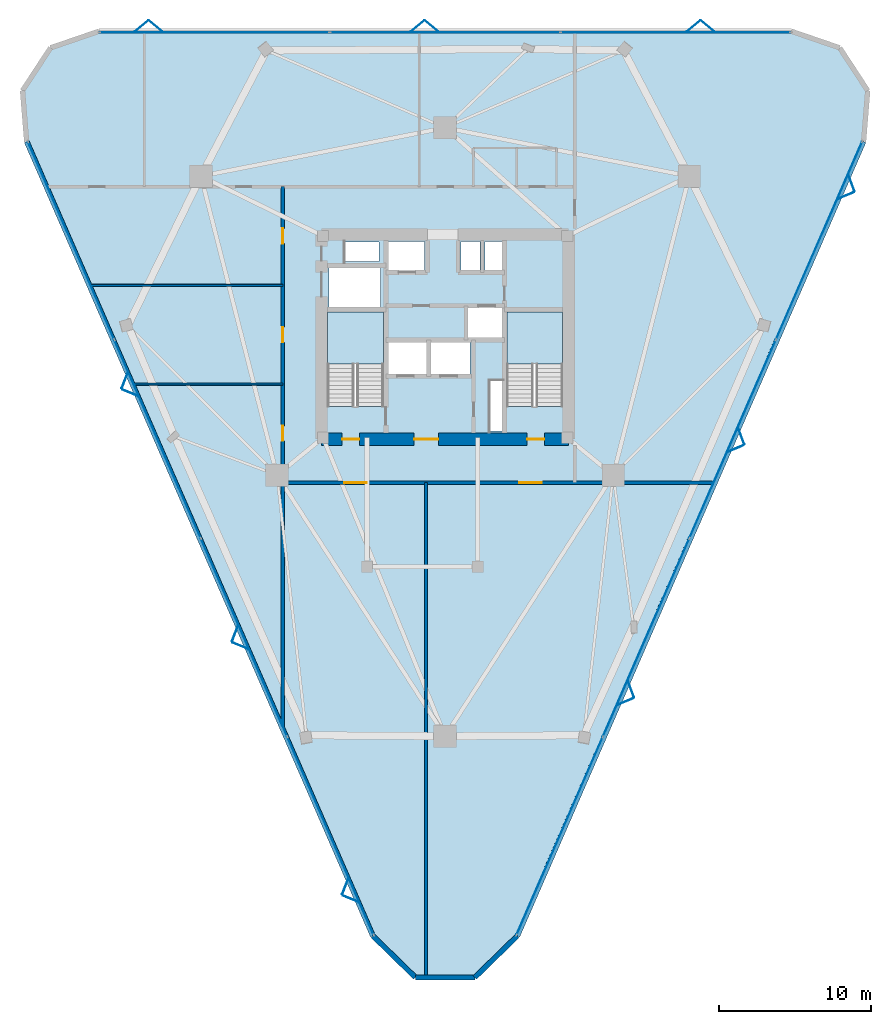
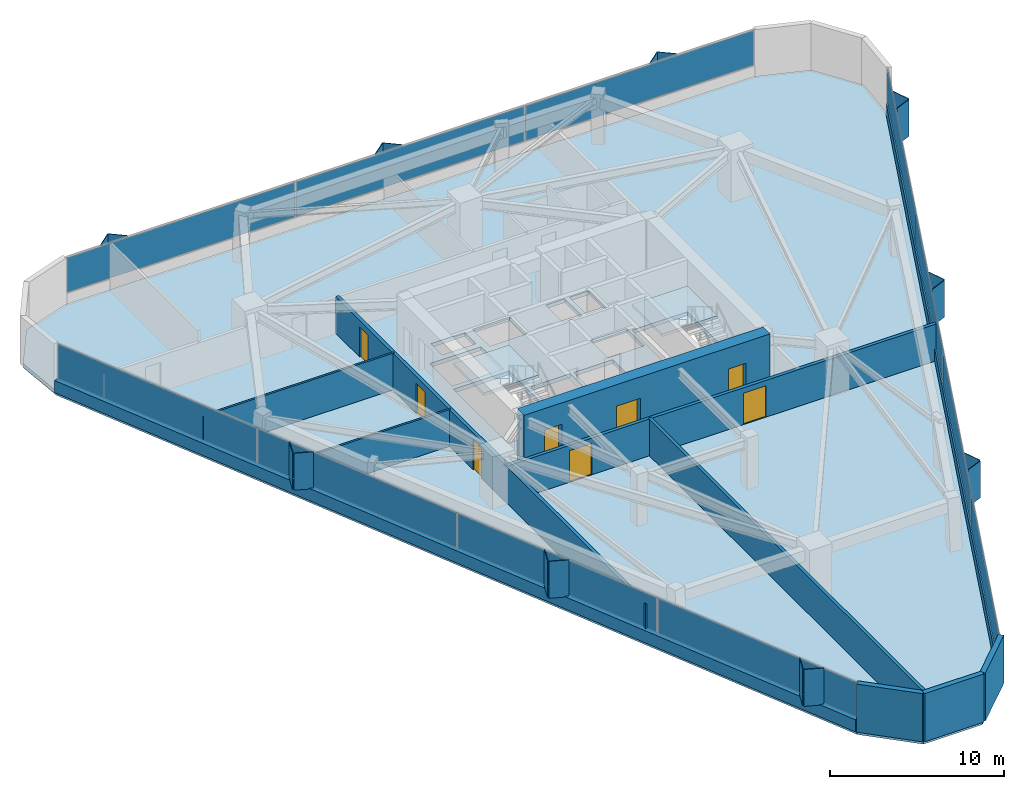
# One storey, part 8 of 11: 29 plates, 11 walls, 8 doors, 3 slabs, 8 openings, 5 elements without a shape of their own.
"""IFC4 building model written with IfcOpenShell, lengths in metres."""

from ifc_helpers import new_model, si_unit, direction, frame, frame_2d, origin, origin_2d, place, context, subcontext, project, spatial, polyline, rectangle, outline, extrude, material, layer, layer_set, type_object, element, fill, aggregate, save


model = new_model("IFC4")

# Units and contexts
model_context = context("Model", 3, precision=1e-05, world=origin(), true_north=direction((0.0, 1.0)))
body_context = subcontext(model_context, "Body", "Model", "MODEL_VIEW")
ifc_project = project(units=[si_unit("LENGTHUNIT", "METRE"), si_unit("AREAUNIT", "SQUARE_METRE"), si_unit("VOLUMEUNIT", "CUBIC_METRE"), si_unit("PLANEANGLEUNIT", "RADIAN"), si_unit("MASSUNIT", "GRAM", prefix="KILO")], contexts=[model_context])

# Site, building, storey
site_placement = place(None, origin())
site = spatial("IfcSite", under=ifc_project, at=site_placement, CompositionType="ELEMENT")
building_placement = place(site_placement, origin())
building = spatial("IfcBuilding", under=site, at=building_placement, Name="Talyreon Biosciences Tower", CompositionType="ELEMENT")
storey_placement = place(building_placement, frame((0.0, 0.0, 160.050048828125)))
storey = spatial("IfcBuildingStorey", under=building, at=storey_placement, Name="L42", CompositionType="ELEMENT", Elevation=160.050048828125)

# Curtain wall, plates
ifc_material_1 = material(Name="Thermally broken aluminium and low-E glazing", Category="aluminium")
ifc_layer_1 = layer(ifc_material_1, 0.18505859375)
ifc_layer_set_1 = layer_set([ifc_layer_1], Name="Thermally broken aluminium and low-E glazing")
curtain_wall_type = type_object("IfcCurtainWallType", Name="CurtainWall_Zone3Bioprocess", PredefinedType="NOTDEFINED", material=ifc_layer_set_1)
curtain_wall_1_placement = place(storey_placement, origin())
curtain_wall_1 = element("IfcCurtainWall", 1, at=curtain_wall_1_placement, inside=storey, type_object=curtain_wall_type, Name="L42 Unitised Curtain Wall FCW-L42-00", PredefinedType="NOTDEFINED")
ifc_material_2 = material(Name="Triple-silver low-E insulated glazing", Category="glass")
ifc_layer_2 = layer(ifc_material_2, 0.031982421875)
ifc_layer_set_2 = layer_set([ifc_layer_2], Name="Triple-silver low-E insulated glazing")
plate_type_1 = type_object("IfcPlateType", Name="CWGlazingPanel_32", PredefinedType="CURTAIN_PANEL", material=ifc_layer_set_2)
plate_1_placement = place(storey_placement, frame((58.446533203125, 35.08935546875, 0.875), z_axis=(0.0, 0.0, 1.0), x_axis=(-0.399504605621, 0.916731187474, 0.0)))
plate_1 = element("IfcPlate", 2, at=plate_1_placement, type_object=plate_type_1, Name="CW4 panel 1.1", PredefinedType="CURTAIN_PANEL", context=body_context, shape_type="SweptSolid", body=[
    extrude(rectangle(XDim=14.18701171875, YDim=0.031982421875, at=origin_2d()), origin(), (0.0, 0.0, 1.0), 2.43505859375),
])
plate_2_placement = place(storey_placement, frame((52.74609375, 48.16943359375, 0.875), z_axis=(0.0, 0.0, 1.0), x_axis=(-0.399504605621, 0.916731187474, 0.0)))
plate_2 = element("IfcPlate", 3, at=plate_2_placement, type_object=plate_type_1, Name="CW4 panel 2.1", PredefinedType="CURTAIN_PANEL", context=body_context, shape_type="SweptSolid", body=[
    extrude(rectangle(XDim=14.219482421875, YDim=0.031982421875, at=origin_2d()), origin(), (0.0, 0.0, 1.0), 2.43505859375),
])
plate_3_placement = place(storey_placement, frame((47.03955078125, 61.264404296875, 0.875), z_axis=(0.0, 0.0, 1.0), x_axis=(-0.399504605621, 0.916731187474, 0.0)))
plate_3 = element("IfcPlate", 4, at=plate_3_placement, type_object=plate_type_1, Name="CW4 panel 3.1", PredefinedType="CURTAIN_PANEL", context=body_context, shape_type="SweptSolid", body=[
    extrude(rectangle(XDim=14.219482421875, YDim=0.031982421875, at=origin_2d()), origin(), (0.0, 0.0, 1.0), 2.43505859375),
])
plate_4_placement = place(storey_placement, frame((41.33935546875, 74.3447265625, 0.875), z_axis=(0.0, 0.0, 1.0), x_axis=(-0.399504605621, 0.916731187474, 0.0)))
plate_4 = element("IfcPlate", 5, at=plate_4_placement, type_object=plate_type_1, Name="CW4 panel 4.1", PredefinedType="CURTAIN_PANEL", context=body_context, shape_type="SweptSolid", body=[
    extrude(rectangle(XDim=14.18701171875, YDim=0.031982421875, at=origin_2d()), origin(), (0.0, 0.0, 1.0), 2.43505859375),
])
aggregate(curtain_wall_1, [plate_1, plate_2, plate_3, plate_4])

curtain_wall_2_placement = place(storey_placement, origin())
curtain_wall_2 = element("IfcCurtainWall", 6, at=curtain_wall_2_placement, inside=storey, type_object=curtain_wall_type, Name="L42 Unitised Curtain Wall FCW-L42-04", PredefinedType="NOTDEFINED")
plate_5_placement = place(storey_placement, frame((50.79833984375, 88.072509765625, 0.875), z_axis=(0.0, 0.0, 1.0), x_axis=(1.0, 0.0, 0.0)))
plate_5 = element("IfcPlate", 7, at=plate_5_placement, type_object=plate_type_1, Name="CW4 panel 1.1", PredefinedType="CURTAIN_PANEL", context=body_context, shape_type="SweptSolid", body=[
    extrude(rectangle(XDim=15.120361328125, YDim=0.031982421875, at=origin_2d()), origin(), (0.0, 0.0, 1.0), 2.43505859375),
])
plate_6_placement = place(storey_placement, frame((66.0, 88.072509765625, 0.875), z_axis=(0.0, 0.0, 1.0), x_axis=(1.0, 0.0, 0.0)))
plate_6 = element("IfcPlate", 8, at=plate_6_placement, type_object=plate_type_1, Name="CW4 panel 2.1", PredefinedType="CURTAIN_PANEL", context=body_context, shape_type="SweptSolid", body=[
    extrude(rectangle(XDim=15.15283203125, YDim=0.031982421875, at=origin_2d()), origin(), (0.0, 0.0, 1.0), 2.43505859375),
])
plate_7_placement = place(storey_placement, frame((81.20166015625, 88.072509765625, 0.875), z_axis=(0.0, 0.0, 1.0), x_axis=(1.0, 0.0, 0.0)))
plate_7 = element("IfcPlate", 9, at=plate_7_placement, type_object=plate_type_1, Name="CW4 panel 3.1", PredefinedType="CURTAIN_PANEL", context=body_context, shape_type="SweptSolid", body=[
    extrude(rectangle(XDim=15.120361328125, YDim=0.031982421875, at=origin_2d()), origin(), (0.0, 0.0, 1.0), 2.43505859375),
])
aggregate(curtain_wall_2, [plate_5, plate_6, plate_7])

curtain_wall_3_placement = place(storey_placement, origin())
curtain_wall_3 = element("IfcCurtainWall", 10, at=curtain_wall_3_placement, inside=storey, type_object=curtain_wall_type, Name="L42 Unitised Curtain Wall FCW-L42-08", PredefinedType="NOTDEFINED")
plate_8_placement = place(storey_placement, frame((90.66064453125, 74.3447265625, 0.875), z_axis=(0.0, 0.0, 1.0), x_axis=(-0.399504605621, -0.916731187474, 0.0)))
plate_8 = element("IfcPlate", 11, at=plate_8_placement, type_object=plate_type_1, Name="CW4 panel 1.1", PredefinedType="CURTAIN_PANEL", context=body_context, shape_type="SweptSolid", body=[
    extrude(rectangle(XDim=14.18701171875, YDim=0.031982421875, at=origin_2d()), origin(), (0.0, 0.0, 1.0), 2.43505859375),
])
plate_9_placement = place(storey_placement, frame((84.96044921875, 61.264404296875, 0.875), z_axis=(0.0, 0.0, 1.0), x_axis=(-0.399504605621, -0.916731187474, 0.0)))
plate_9 = element("IfcPlate", 12, at=plate_9_placement, type_object=plate_type_1, Name="CW4 panel 2.1", PredefinedType="CURTAIN_PANEL", context=body_context, shape_type="SweptSolid", body=[
    extrude(rectangle(XDim=14.219482421875, YDim=0.031982421875, at=origin_2d()), origin(), (0.0, 0.0, 1.0), 2.43505859375),
])
plate_10_placement = place(storey_placement, frame((79.25390625, 48.16943359375, 0.875), z_axis=(0.0, 0.0, 1.0), x_axis=(-0.399504605621, -0.916731187474, 0.0)))
plate_10 = element("IfcPlate", 13, at=plate_10_placement, type_object=plate_type_1, Name="CW4 panel 3.1", PredefinedType="CURTAIN_PANEL", context=body_context, shape_type="SweptSolid", body=[
    extrude(rectangle(XDim=14.219482421875, YDim=0.031982421875, at=origin_2d()), origin(), (0.0, 0.0, 1.0), 2.43505859375),
])
plate_11_placement = place(storey_placement, frame((73.553466796875, 35.08935546875, 0.875), z_axis=(0.0, 0.0, 1.0), x_axis=(-0.399504605621, -0.916731187474, 0.0)))
plate_11 = element("IfcPlate", 14, at=plate_11_placement, type_object=plate_type_1, Name="CW4 panel 4.1", PredefinedType="CURTAIN_PANEL", context=body_context, shape_type="SweptSolid", body=[
    extrude(rectangle(XDim=14.18701171875, YDim=0.031982421875, at=origin_2d()), origin(), (0.0, 0.0, 1.0), 2.43505859375),
])
aggregate(curtain_wall_3, [plate_8, plate_9, plate_10, plate_11])

# Plates
ifc_material_3 = material(Name="Ivory GFRC sunshade panel", Category="concrete")
ifc_layer_3 = layer(ifc_material_3, 0.044921875)
ifc_layer_set_3 = layer_set([ifc_layer_3], Name="Ivory GFRC sunshade panel")
plate_type_2 = type_object("IfcPlateType", Name="FoldedVSunshade_NorthFace_SUNSHADE", PredefinedType="USERDEFINED", material=ifc_layer_set_3)
for number, where, z_axis, x_axis, name in (
    (15, (45.9931640625, 88.512451171875, 0.7900390625), (0.0, 0.0, 1.0), (0.771624583388, 0.636078220278, 0.0), "L42 Folded V-Sunshade Panel 04.01L"),
    (16, (46.89306640625, 88.512451171875, 0.7900390625), (0.0, 0.0, 1.0), (0.771624583388, -0.636078220278, 0.0), "L42 Folded V-Sunshade Panel 04.01R"),
    (17, (64.193115234375, 88.512451171875, 0.7900390625), (0.0, 0.0, 1.0), (0.771624583388, 0.636078220278, 0.0), "L42 Folded V-Sunshade Panel 04.02L"),
    (18, (65.093017578125, 88.512451171875, 0.7900390625), (0.0, 0.0, 1.0), (0.771624583388, -0.636078220278, 0.0), "L42 Folded V-Sunshade Panel 04.02R"),
    (19, (82.39306640625, 88.512451171875, 0.7900390625), (0.0, 0.0, 1.0), (0.771624583388, 0.636078220278, 0.0), "L42 Folded V-Sunshade Panel 04.03L"),
    (20, (83.293212890625, 88.512451171875, 0.7900390625), (0.0, 0.0, 1.0), (0.771624583388, -0.636078220278, 0.0), "L42 Folded V-Sunshade Panel 04.03R"),
):
    element("IfcPlate", number, at=place(storey_placement, frame(where, z_axis=z_axis, x_axis=x_axis)), inside=storey, type_object=plate_type_2, Name=name, ObjectType="SUNSHADE", PredefinedType="USERDEFINED", context=body_context, shape_type="SweptSolid", body=[
        extrude(rectangle(XDim=1.14990234375, YDim=0.044921875, at=origin_2d()), origin(), (0.0, 0.0, 1.0), 2.5849609375),
    ])
ifc_layer_4 = layer(ifc_material_3, 0.044921875)
ifc_layer_set_4 = layer_set([ifc_layer_4], Name="Ivory GFRC sunshade panel")
plate_type_3 = type_object("IfcPlateType", Name="FoldedVSunshade_SunFace_SUNSHADE", PredefinedType="USERDEFINED", material=ifc_layer_set_4)
for number, where, z_axis, x_axis, name in (
    (21, (59.7763671875, 30.936279296875, 0.7900390625), (0.0, 0.0, 1.0), (-0.924193138674, 0.381925440929, 0.0), "L42 Folded V-Sunshade Panel 00.01L"),
    (22, (59.416748046875, 31.76123046875, 0.7900390625), (0.0, 0.0, 1.0), (0.349438906874, 0.936959150851, 0.0), "L42 Folded V-Sunshade Panel 00.01R"),
    (23, (52.50537109375, 47.620849609375, 0.7900390625), (0.0, 0.0, 1.0), (-0.924193138674, 0.381925440929, 0.0), "L42 Folded V-Sunshade Panel 00.02L"),
    (24, (52.145751953125, 48.44580078125, 0.7900390625), (0.0, 0.0, 1.0), (0.349438906874, 0.936959150851, 0.0), "L42 Folded V-Sunshade Panel 00.02R"),
    (25, (45.234375, 64.305419921875, 0.7900390625), (0.0, 0.0, 1.0), (-0.924193138674, 0.381925440929, 0.0), "L42 Folded V-Sunshade Panel 00.03L"),
    (26, (44.875, 65.13037109375, 0.7900390625), (0.0, 0.0, 1.0), (0.349438906874, 0.936959150851, 0.0), "L42 Folded V-Sunshade Panel 00.03R"),
    (27, (92.79736328125, 78.14599609375, 0.7900390625), (0.0, 0.0, 1.0), (0.349438906874, -0.936959150851, 0.0), "L42 Folded V-Sunshade Panel 08.01L"),
    (28, (92.437744140625, 77.321044921875, 0.7900390625), (0.0, 0.0, 1.0), (-0.924193138674, -0.381925440929, 0.0), "L42 Folded V-Sunshade Panel 08.01R"),
    (29, (85.5263671875, 61.461669921875, 0.7900390625), (0.0, 0.0, 1.0), (0.349438906874, -0.936959150851, 0.0), "L42 Folded V-Sunshade Panel 08.02L"),
    (30, (85.166748046875, 60.636474609375, 0.7900390625), (0.0, 0.0, 1.0), (-0.924193138674, -0.381925440929, 0.0), "L42 Folded V-Sunshade Panel 08.02R"),
    (31, (78.25537109375, 44.777099609375, 0.7900390625), (0.0, 0.0, 1.0), (0.349438906874, -0.936959150851, 0.0), "L42 Folded V-Sunshade Panel 08.03L"),
    (32, (77.895751953125, 43.951904296875, 0.7900390625), (0.0, 0.0, 1.0), (-0.924193138674, -0.381925440929, 0.0), "L42 Folded V-Sunshade Panel 08.03R"),
):
    element("IfcPlate", number, at=place(storey_placement, frame(where, z_axis=z_axis, x_axis=x_axis)), inside=storey, type_object=plate_type_3, Name=name, ObjectType="SUNSHADE", PredefinedType="USERDEFINED", context=body_context, shape_type="SweptSolid", body=[
        extrude(rectangle(XDim=1.14990234375, YDim=0.044921875, at=origin_2d()), origin(), (0.0, 0.0, 1.0), 2.5849609375),
    ])

# Stair, slab
ifc_material_4 = material(Name="Concrete C40/50", Category="concrete")
stair_type = type_object("IfcStairType", Name="DoglegEscapeStair_3650", PredefinedType="HALF_TURN_STAIR", material=ifc_material_4)
stair_1_placement = place(storey_placement, origin())
stair_1 = element("IfcStair", 33, at=stair_1_placement, inside=storey, type_object=stair_type, Name="L42 Core Escape Stair 1", PredefinedType="HALF_TURN_STAIR")
ifc_layer_5 = layer(ifc_material_4, 0.199951171875)
ifc_layer_set_5 = layer_set([ifc_layer_5], Name="Concrete C40/50")
slab_type_1 = type_object("IfcSlabType", Name="StairLandingSlab_200", PredefinedType="LANDING", material=ifc_layer_set_5)
slab_1_placement = place(storey_placement, frame((0.0, 0.0, 1.625)))
slab_1 = element("IfcSlab", 34, at=slab_1_placement, type_object=slab_type_1, Name="ST-1 landing 1", PredefinedType="LANDING", context=body_context, shape_type="SweptSolid", body=[
    extrude(outline(polyline([(61.929931640625, 66.199951171875), (61.929931640625, 69.64990234375), (58.25, 69.64990234375), (58.25, 66.199951171875), (61.929931640625, 66.199951171875)])), origin(), (0.0, 0.0, 1.0), 0.199951171875),
])
aggregate(stair_1, [slab_1])

stair_2_placement = place(storey_placement, origin())
stair_2 = element("IfcStair", 35, at=stair_2_placement, inside=storey, type_object=stair_type, Name="L42 Core Escape Stair 2", PredefinedType="HALF_TURN_STAIR")
slab_2_placement = place(storey_placement, frame((0.0, 0.0, 1.625)))
slab_2 = element("IfcSlab", 36, at=slab_2_placement, type_object=slab_type_1, Name="ST-2 landing 1", PredefinedType="LANDING", context=body_context, shape_type="SweptSolid", body=[
    extrude(outline(polyline([(73.75, 66.199951171875), (73.75, 69.64990234375), (70.070068359375, 69.64990234375), (70.070068359375, 66.199951171875), (73.75, 66.199951171875)])), origin(), (0.0, 0.0, 1.0), 0.199951171875),
])
aggregate(stair_2, [slab_2])

# Slab
ifc_layer_6 = layer(ifc_material_4, 0.27490234375)
ifc_layer_set_6 = layer_set([ifc_layer_6], Name="Concrete C40/50")
slab_type_2 = type_object("IfcSlabType", Name="WetLabFloorSlab_275", PredefinedType="FLOOR", material=ifc_layer_set_6)
slab_3_placement = place(storey_placement, frame((0.0, 0.0, -0.275146484375)))
element("IfcSlab", 37, at=slab_3_placement, inside=storey, type_object=slab_type_2, Name="L42 Structural Floor Slab", PredefinedType="FLOOR", context=body_context, shape_type="SweptSolid", body=[
    extrude(outline(polyline([(61.23291015625, 28.494873046875), (38.406005859375, 80.875), (38.13427734375, 84.237060546875), (39.982421875, 87.05859375), (43.173095703125, 88.152587890625), (88.826904296875, 88.152587890625), (92.017578125, 87.05859375), (93.86572265625, 84.237060546875), (93.593994140625, 80.875), (70.76708984375, 28.494873046875), (67.960693359375, 25.756103515625), (64.039306640625, 25.756103515625), (61.23291015625, 28.494873046875)]), holes=[polyline([(61.929931640625, 69.64990234375), (61.929931640625, 63.407958984375), (58.25, 63.407958984375), (58.25, 69.64990234375), (61.929931640625, 69.64990234375)]), polyline([(64.800048828125, 67.64990234375), (64.800048828125, 65.550048828125), (62.199951171875, 65.550048828125), (62.199951171875, 67.64990234375), (64.800048828125, 67.64990234375)]), polyline([(67.64990234375, 67.64990234375), (67.64990234375, 65.550048828125), (65.050048828125, 65.550048828125), (65.050048828125, 67.64990234375), (67.64990234375, 67.64990234375)]), polyline([(61.75, 69.97998046875), (58.35009765625, 69.97998046875), (58.35009765625, 72.550048828125), (61.75, 72.550048828125), (61.75, 69.97998046875)]), polyline([(64.64990234375, 72.35009765625), (62.199951171875, 72.35009765625), (62.199951171875, 74.300048828125), (64.64990234375, 74.300048828125), (64.64990234375, 72.35009765625)]), polyline([(61.64990234375, 74.25), (61.64990234375, 72.9599609375), (59.39990234375, 72.9599609375), (59.39990234375, 74.25), (61.64990234375, 74.25)]), polyline([(69.820068359375, 61.800048828125), (68.9599609375, 61.800048828125), (68.9599609375, 65.10009765625), (69.820068359375, 65.10009765625), (69.820068359375, 61.800048828125)]), polyline([(73.75, 63.407958984375), (70.070068359375, 63.407958984375), (70.070068359375, 69.64990234375), (73.75, 69.64990234375), (73.75, 63.407958984375)]), polyline([(69.89990234375, 69.949951171875), (69.89990234375, 67.949951171875), (67.5, 67.949951171875), (67.5, 69.949951171875), (69.89990234375, 69.949951171875)]), polyline([(68.300048828125, 72.35009765625), (67.050048828125, 72.35009765625), (67.050048828125, 74.300048828125), (68.300048828125, 74.300048828125), (68.300048828125, 72.35009765625)]), polyline([(69.919921875, 72.35009765625), (68.6201171875, 72.35009765625), (68.6201171875, 74.300048828125), (69.919921875, 74.300048828125), (69.919921875, 72.35009765625)])]), origin(), (0.0, 0.0, 1.0), 0.275146484375),
])

# Wall
ifc_material_5 = material(Name="Gypsum fireboard acoustic stud", Category="gypsum")
ifc_layer_7 = layer(ifc_material_5, 0.199951171875)
ifc_layer_set_7 = layer_set([ifc_layer_7], Name="Gypsum fireboard acoustic stud")
wall_type_1 = type_object("IfcWallType", Name="ChemControlPartition_200", PredefinedType="PARTITIONING", material=ifc_layer_set_7)
wall_1_placement = place(storey_placement, frame((64.74609375, 25.841064453125, 0.0), z_axis=(0.0, 0.0, 1.0), x_axis=(0.0, 1.0, 0.0)))
element("IfcWall", 38, at=wall_1_placement, inside=storey, type_object=wall_type_1, Name="L42 Interior Wall IW-L42-SDIV1", PredefinedType="PARTITIONING", context=body_context, shape_type="SweptSolid", body=[
    extrude(rectangle(XDim=32.538818359375, YDim=0.199951171875, at=frame_2d((16.26953125, 0.0))), origin(), (0.0, 0.0, 1.0), 2.574951171875),
])

# Wall, openings, doors
ifc_material_6 = material(Name="Concrete C60/75", Category="concrete")
ifc_layer_8 = layer(ifc_material_6, 0.800048828125)
ifc_layer_set_8 = layer_set([ifc_layer_8], Name="Concrete C60/75")
wall_type_2 = type_object("IfcWallType", Name="CoreShearWall_800", PredefinedType="SHEAR", material=ifc_layer_set_8)
wall_2_placement = place(storey_placement, frame((57.85009765625, 61.25, 0.0), z_axis=(0.0, 0.0, 1.0), x_axis=(1.0, 0.0, 0.0)))
wall_2 = element("IfcWall", 39, at=wall_2_placement, inside=storey, type_object=wall_type_2, Name="L42 Core Shear Wall S", PredefinedType="SHEAR", context=body_context, shape_type="SweptSolid", body=[
    extrude(rectangle(XDim=16.2998046875, YDim=0.800048828125, at=frame_2d((8.14990234375, 0.0))), origin(), (0.0, 0.0, 1.0), 3.64990234375),
])
opening_1_placement = place(wall_2_placement, frame((1.35009765625, 0.0, 0.0)))
opening_1 = element("IfcOpeningElement", 40, at=opening_1_placement, cuts=wall_2, Name="Opening DR-L42-ST1", PredefinedType="OPENING", context=body_context, shape_type="SweptSolid", body=[
    extrude(rectangle(XDim=1.14990234375, YDim=2.14990234375, at=frame_2d((0.574951171875, 1.074951171875))), frame((0.0, 0.409912109375, 0.0), z_axis=(0.0, -1.0, 0.0), x_axis=(1.0, 0.0, 0.0)), (0.0, 0.0, 1.0), 0.820068359375),
])
opening_2_placement = place(wall_2_placement, frame((6.10009765625, 0.0, 0.0)))
opening_2 = element("IfcOpeningElement", 41, at=opening_2_placement, cuts=wall_2, Name="Opening DR-L42-FFL", PredefinedType="OPENING", context=body_context, shape_type="SweptSolid", body=[
    extrude(rectangle(XDim=1.60009765625, YDim=2.14990234375, at=frame_2d((0.800048828125, 1.074951171875))), frame((0.0, 0.409912109375, 0.0), z_axis=(0.0, -1.0, 0.0), x_axis=(1.0, 0.0, 0.0)), (0.0, 0.0, 1.0), 0.820068359375),
])
opening_3_placement = place(wall_2_placement, frame((13.550048828125, 0.0, 0.0)))
opening_3 = element("IfcOpeningElement", 42, at=opening_3_placement, cuts=wall_2, Name="Opening DR-L42-ST2", PredefinedType="OPENING", context=body_context, shape_type="SweptSolid", body=[
    extrude(rectangle(XDim=1.14990234375, YDim=2.14990234375, at=frame_2d((0.574951171875, 1.074951171875))), frame((0.0, 0.409912109375, 0.0), z_axis=(0.0, -1.0, 0.0), x_axis=(1.0, 0.0, 0.0)), (0.0, 0.0, 1.0), 0.820068359375),
])
ifc_material_7 = material(Name="Painted steel smoke-seal fire door", Category="steel")
door_type_1 = type_object("IfcDoorType", Name="FirefightingLobbyDoubleDoor_1600x2150", OperationType="DOUBLE_DOOR_SINGLE_SWING", PredefinedType="DOOR", material=ifc_material_7)
door_1_placement = place(opening_2_placement, origin())
door_1 = element("IfcDoor", 43, at=door_1_placement, inside=storey, type_object=door_type_1, Name="L42 Core Door DR-L42-FFL", OperationType="DOUBLE_DOOR_SINGLE_SWING", OverallHeight=2.14990234375, OverallWidth=1.60009765625, PredefinedType="DOOR", context=body_context, shape_type="SweptSolid", body=[
    extrude(rectangle(XDim=1.60009765625, YDim=2.14990234375, at=frame_2d((0.800048828125, 1.074951171875))), frame((0.0, 0.02490234375, 0.0), z_axis=(0.0, -1.0, 0.0), x_axis=(1.0, 0.0, 0.0)), (0.0, 0.0, 1.0), 0.050048828125),
])
fill(opening_2, door_1)
ifc_material_8 = material(Name="Painted steel fire door", Category="steel")
door_type_2 = type_object("IfcDoorType", Name="StairShaftFireDoor_1150x2150", OperationType="NOTDEFINED", PredefinedType="DOOR", material=ifc_material_8)
door_2_placement = place(opening_1_placement, origin())
door_2 = element("IfcDoor", 44, at=door_2_placement, inside=storey, type_object=door_type_2, Name="L42 Core Door DR-L42-ST1", OperationType="SINGLE_SWING_LEFT", OverallHeight=2.14990234375, OverallWidth=1.14990234375, PredefinedType="DOOR", context=body_context, shape_type="SweptSolid", body=[
    extrude(rectangle(XDim=1.14990234375, YDim=2.14990234375, at=frame_2d((0.574951171875, 1.074951171875))), frame((0.0, 0.02490234375, 0.0), z_axis=(0.0, -1.0, 0.0), x_axis=(1.0, 0.0, 0.0)), (0.0, 0.0, 1.0), 0.050048828125),
])
fill(opening_1, door_2)
door_3_placement = place(opening_3_placement, origin())
door_3 = element("IfcDoor", 45, at=door_3_placement, inside=storey, type_object=door_type_2, Name="L42 Core Door DR-L42-ST2", OperationType="SINGLE_SWING_RIGHT", OverallHeight=2.14990234375, OverallWidth=1.14990234375, PredefinedType="DOOR", context=body_context, shape_type="SweptSolid", body=[
    extrude(rectangle(XDim=1.14990234375, YDim=2.14990234375, at=frame_2d((0.574951171875, 1.074951171875))), frame((0.0, 0.02490234375, 0.0), z_axis=(0.0, -1.0, 0.0), x_axis=(1.0, 0.0, 0.0)), (0.0, 0.0, 1.0), 0.050048828125),
])
fill(opening_3, door_3)

ifc_layer_9 = layer(ifc_material_5, 0.219970703125)
ifc_layer_set_9 = layer_set([ifc_layer_9], Name="Gypsum fireboard acoustic stud")
wall_type_3 = type_object("IfcWallType", Name="CorridorRatedPartition_220", PredefinedType="PARTITIONING", material=ifc_layer_set_9)
wall_3_placement = place(storey_placement, frame((55.300048828125, 58.3798828125, 0.0), z_axis=(0.0, 0.0, 1.0), x_axis=(1.0, 0.0, 0.0)))
wall_3 = element("IfcWall", 46, at=wall_3_placement, inside=storey, type_object=wall_type_3, Name="L42 Interior Wall IW-L42-COR-S", PredefinedType="PARTITIONING", context=body_context, shape_type="SweptSolid", body=[
    extrude(rectangle(XDim=28.39794921875, YDim=0.219970703125, at=frame_2d((14.198974609375, 0.0))), origin(), (0.0, 0.0, 1.0), 2.574951171875),
])
opening_4_placement = place(wall_3_placement, frame((4.048095703125, 0.0, 0.0)))
opening_4 = element("IfcOpeningElement", 47, at=opening_4_placement, cuts=wall_3, Name="Opening DR-L42-S1A", PredefinedType="OPENING", context=body_context, shape_type="SweptSolid", body=[
    extrude(rectangle(XDim=1.5, YDim=2.199951171875, at=frame_2d((0.75, 1.10009765625))), frame((0.0, 0.119873046875, 0.0), z_axis=(0.0, -1.0, 0.0), x_axis=(1.0, 0.0, 0.0)), (0.0, 0.0, 1.0), 0.239990234375),
])
opening_5_placement = place(wall_3_placement, frame((15.5830078125, 0.0, 0.0)))
opening_5 = element("IfcOpeningElement", 48, at=opening_5_placement, cuts=wall_3, Name="Opening DR-L42-S2A", PredefinedType="OPENING", context=body_context, shape_type="SweptSolid", body=[
    extrude(rectangle(XDim=1.5, YDim=2.199951171875, at=frame_2d((0.75, 1.10009765625))), frame((0.0, 0.119873046875, 0.0), z_axis=(0.0, -1.0, 0.0), x_axis=(1.0, 0.0, 0.0)), (0.0, 0.0, 1.0), 0.239990234375),
])
ifc_material_9 = material(Name="Vision-panel steel laboratory fire door", Category="steel")
door_type_3 = type_object("IfcDoorType", Name="WetLabDoubleLeafDoor_1500x2200", OperationType="DOUBLE_DOOR_SINGLE_SWING", PredefinedType="DOOR", material=ifc_material_9)
door_4_placement = place(opening_4_placement, origin())
door_4 = element("IfcDoor", 49, at=door_4_placement, inside=storey, type_object=door_type_3, Name="L42 Interior Door DR-L42-S1A", OperationType="DOUBLE_DOOR_SINGLE_SWING", OverallHeight=2.199951171875, OverallWidth=1.5, PredefinedType="DOOR", context=body_context, shape_type="SweptSolid", body=[
    extrude(rectangle(XDim=1.5, YDim=2.199951171875, at=frame_2d((0.75, 1.10009765625))), frame((0.0, 0.02490234375, 0.0), z_axis=(0.0, -1.0, 0.0), x_axis=(1.0, 0.0, 0.0)), (0.0, 0.0, 1.0), 0.050048828125),
])
fill(opening_4, door_4)
door_5_placement = place(opening_5_placement, origin())
door_5 = element("IfcDoor", 50, at=door_5_placement, inside=storey, type_object=door_type_3, Name="L42 Interior Door DR-L42-S2A", OperationType="DOUBLE_DOOR_SINGLE_SWING", OverallHeight=2.199951171875, OverallWidth=1.5, PredefinedType="DOOR", context=body_context, shape_type="SweptSolid", body=[
    extrude(rectangle(XDim=1.5, YDim=2.199951171875, at=frame_2d((0.75, 1.10009765625))), frame((0.0, 0.02490234375, 0.0), z_axis=(0.0, -1.0, 0.0), x_axis=(1.0, 0.0, 0.0)), (0.0, 0.0, 1.0), 0.050048828125),
])
fill(opening_5, door_5)

wall_4_placement = place(storey_placement, frame((55.300048828125, 42.322021484375, 0.0), z_axis=(0.0, 0.0, 1.0), x_axis=(0.0, 1.0, 0.0)))
wall_4 = element("IfcWall", 51, at=wall_4_placement, inside=storey, type_object=wall_type_3, Name="L42 Interior Wall IW-L42-COR-W", PredefinedType="PARTITIONING", context=body_context, shape_type="SweptSolid", body=[
    extrude(rectangle(XDim=35.577880859375, YDim=0.219970703125, at=frame_2d((17.7890625, 0.0))), origin(), (0.0, 0.0, 1.0), 2.574951171875),
])
opening_6_placement = place(wall_4_placement, frame((18.81201171875, 0.0, 0.0)))
opening_6 = element("IfcOpeningElement", 52, at=opening_6_placement, cuts=wall_4, Name="Opening DR-L42-W1A", PredefinedType="OPENING", context=body_context, shape_type="SweptSolid", body=[
    extrude(rectangle(XDim=1.0, YDim=2.10009765625, at=frame_2d((0.5, 1.050048828125))), frame((0.0, 0.119873046875, 0.0), z_axis=(0.0, -1.0, 0.0), x_axis=(1.0, 0.0, 0.0)), (0.0, 0.0, 1.0), 0.239990234375),
])
opening_7_placement = place(wall_4_placement, frame((25.318115234375, 0.0, 0.0)))
opening_7 = element("IfcOpeningElement", 53, at=opening_7_placement, cuts=wall_4, Name="Opening DR-L42-W2A", PredefinedType="OPENING", context=body_context, shape_type="SweptSolid", body=[
    extrude(rectangle(XDim=1.0, YDim=2.10009765625, at=frame_2d((0.5, 1.050048828125))), frame((0.0, 0.119873046875, 0.0), z_axis=(0.0, -1.0, 0.0), x_axis=(1.0, 0.0, 0.0)), (0.0, 0.0, 1.0), 0.239990234375),
])
opening_8_placement = place(wall_4_placement, frame((31.824951171875, 0.0, 0.0)))
opening_8 = element("IfcOpeningElement", 54, at=opening_8_placement, cuts=wall_4, Name="Opening DR-L42-W3A", PredefinedType="OPENING", context=body_context, shape_type="SweptSolid", body=[
    extrude(rectangle(XDim=1.0, YDim=2.10009765625, at=frame_2d((0.5, 1.050048828125))), frame((0.0, 0.119873046875, 0.0), z_axis=(0.0, -1.0, 0.0), x_axis=(1.0, 0.0, 0.0)), (0.0, 0.0, 1.0), 0.239990234375),
])
ifc_material_10 = material(Name="Acoustic oak veneer office door", Category="wood")
door_type_4 = type_object("IfcDoorType", Name="WriteupOfficeDoor_1000x2100", OperationType="NOTDEFINED", PredefinedType="DOOR", material=ifc_material_10)
door_6_placement = place(opening_6_placement, origin())
door_6 = element("IfcDoor", 55, at=door_6_placement, inside=storey, type_object=door_type_4, Name="L42 Interior Door DR-L42-W1A", OperationType="SINGLE_SWING_RIGHT", OverallHeight=2.10009765625, OverallWidth=1.0, PredefinedType="DOOR", context=body_context, shape_type="SweptSolid", body=[
    extrude(rectangle(XDim=1.0, YDim=2.10009765625, at=frame_2d((0.5, 1.050048828125))), frame((0.0, 0.02490234375, 0.0), z_axis=(0.0, -1.0, 0.0), x_axis=(1.0, 0.0, 0.0)), (0.0, 0.0, 1.0), 0.050048828125),
])
fill(opening_6, door_6)
door_7_placement = place(opening_7_placement, origin())
door_7 = element("IfcDoor", 56, at=door_7_placement, inside=storey, type_object=door_type_4, Name="L42 Interior Door DR-L42-W2A", OperationType="SINGLE_SWING_RIGHT", OverallHeight=2.10009765625, OverallWidth=1.0, PredefinedType="DOOR", context=body_context, shape_type="SweptSolid", body=[
    extrude(rectangle(XDim=1.0, YDim=2.10009765625, at=frame_2d((0.5, 1.050048828125))), frame((0.0, 0.02490234375, 0.0), z_axis=(0.0, -1.0, 0.0), x_axis=(1.0, 0.0, 0.0)), (0.0, 0.0, 1.0), 0.050048828125),
])
fill(opening_7, door_7)
door_8_placement = place(opening_8_placement, origin())
door_8 = element("IfcDoor", 57, at=door_8_placement, inside=storey, type_object=door_type_4, Name="L42 Interior Door DR-L42-W3A", OperationType="SINGLE_SWING_LEFT", OverallHeight=2.10009765625, OverallWidth=1.0, PredefinedType="DOOR", context=body_context, shape_type="SweptSolid", body=[
    extrude(rectangle(XDim=1.0, YDim=2.10009765625, at=frame_2d((0.5, 1.050048828125))), frame((0.0, 0.02490234375, 0.0), z_axis=(0.0, -1.0, 0.0), x_axis=(1.0, 0.0, 0.0)), (0.0, 0.0, 1.0), 0.050048828125),
])
fill(opening_8, door_8)

# Walls
ifc_material_11 = material(Name="Gypsum acoustic stud partition", Category="gypsum")
ifc_layer_10 = layer(ifc_material_11, 0.1298828125)
ifc_layer_set_10 = layer_set([ifc_layer_10], Name="Gypsum acoustic stud partition")
wall_type_4 = type_object("IfcWallType", Name="OfficeWriteupPartition_130", PredefinedType="PARTITIONING", material=ifc_layer_set_10)
wall_5_placement = place(storey_placement, frame((45.46630859375, 64.886962890625, 0.0), z_axis=(0.0, 0.0, 1.0), x_axis=(1.0, 0.0, 0.0)))
element("IfcWall", 58, at=wall_5_placement, inside=storey, type_object=wall_type_4, Name="L42 Interior Wall IW-L42-WDIV1", PredefinedType="PARTITIONING", context=body_context, shape_type="SweptSolid", body=[
    extrude(rectangle(XDim=9.833740234375, YDim=0.1298828125, at=frame_2d((4.9169921875, 0.0))), origin(), (0.0, 0.0, 1.0), 2.574951171875),
])
wall_6_placement = place(storey_placement, frame((42.631103515625, 71.39306640625, 0.0), z_axis=(0.0, 0.0, 1.0), x_axis=(1.0, 0.0, 0.0)))
element("IfcWall", 59, at=wall_6_placement, inside=storey, type_object=wall_type_4, Name="L42 Interior Wall IW-L42-WDIV2", PredefinedType="PARTITIONING", context=body_context, shape_type="SweptSolid", body=[
    extrude(rectangle(XDim=12.6689453125, YDim=0.1298828125, at=frame_2d((6.33447265625, 0.0))), origin(), (0.0, 0.0, 1.0), 2.574951171875),
])
ifc_material_12 = material(Name="Precast concrete C45/55", Category="concrete")
ifc_layer_11 = layer(ifc_material_12, 0.340087890625)
ifc_layer_set_11 = layer_set([ifc_layer_11], Name="Precast concrete C45/55")
wall_type_5 = type_object("IfcWallType", Name="PrecastConcreteSpandrelWall_340", PredefinedType="STANDARD", material=ifc_layer_set_11)
for number, where, z_axis, x_axis, name in (
    (60, (61.23291015625, 28.494873046875, 0.0), (0.0, 0.0, 1.0), (-0.39950513703, 0.91673095589, 0.0), "L42 Expressed Concrete Sill Wall 00"),
    (61, (93.593994140625, 80.875, 0.0), (0.0, 0.0, 1.0), (-0.39950513703, -0.91673095589, 0.0), "L42 Expressed Concrete Sill Wall 08"),
):
    element("IfcWall", number, at=place(storey_placement, frame(where, z_axis=z_axis, x_axis=x_axis)), inside=storey, type_object=wall_type_5, Name=name, PredefinedType="STANDARD", context=body_context, shape_type="SweptSolid", body=[
        extrude(rectangle(XDim=57.137939453125, YDim=0.340087890625, at=frame_2d((28.56884765625, 0.0))), origin(), (0.0, 0.0, 1.0), 0.849853515625),
    ])
for number, where, z_axis, x_axis, name in (
    (62, (70.76708984375, 28.494873046875, 0.0), (0.0, 0.0, 1.0), (-0.715677193456, -0.69843120976, 0.0), "L42 Rounded-Corner Concrete Pier 09"),
    (63, (67.960693359375, 25.756103515625, 0.0), (0.0, 0.0, 1.0), (-1.0, 0.0, 0.0), "L42 Rounded-Corner Concrete Pier 10"),
    (64, (64.039306640625, 25.756103515625, 0.0), (0.0, 0.0, 1.0), (-0.715677193456, 0.69843120976, 0.0), "L42 Rounded-Corner Concrete Pier 11"),
):
    element("IfcWall", number, at=place(storey_placement, frame(where, z_axis=z_axis, x_axis=x_axis)), inside=storey, type_object=wall_type_5, Name=name, PredefinedType="STANDARD", context=body_context, shape_type="SweptSolid", body=[
        extrude(rectangle(XDim=3.92138671875, YDim=0.340087890625, at=frame_2d((1.960693359375, 0.0))), origin(), (0.0, 0.0, 1.0), 3.375),
    ])

save(model, "model.ifc")
